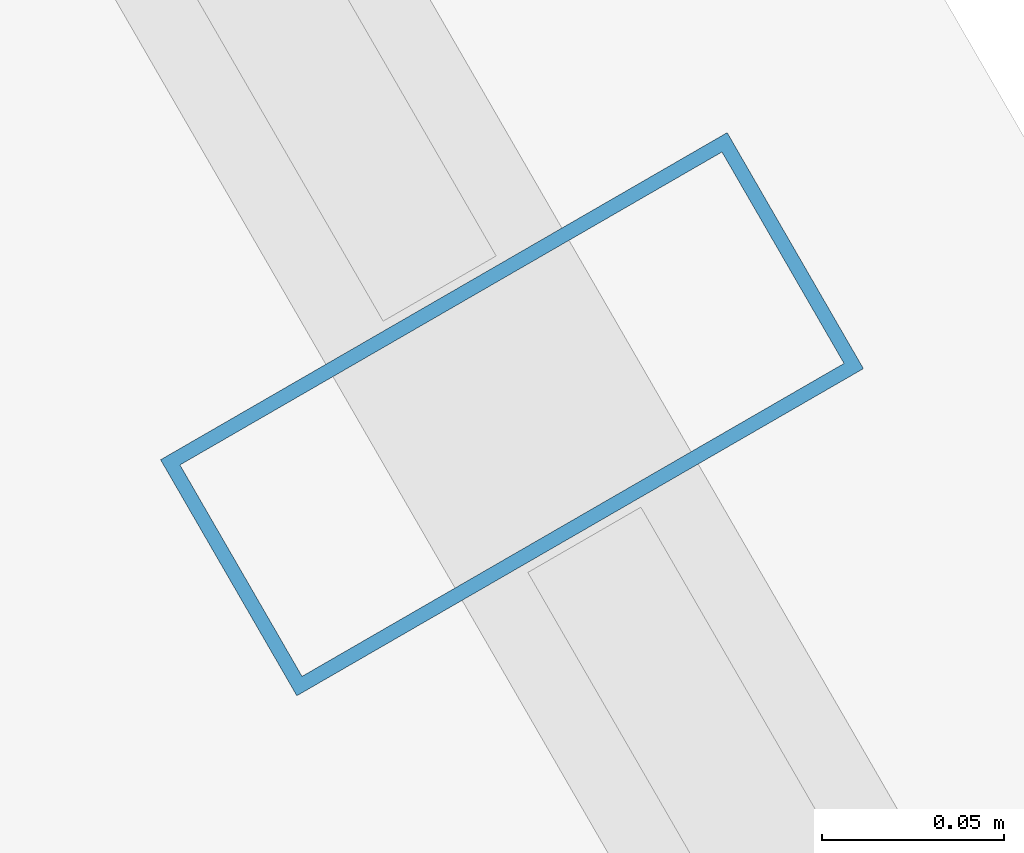
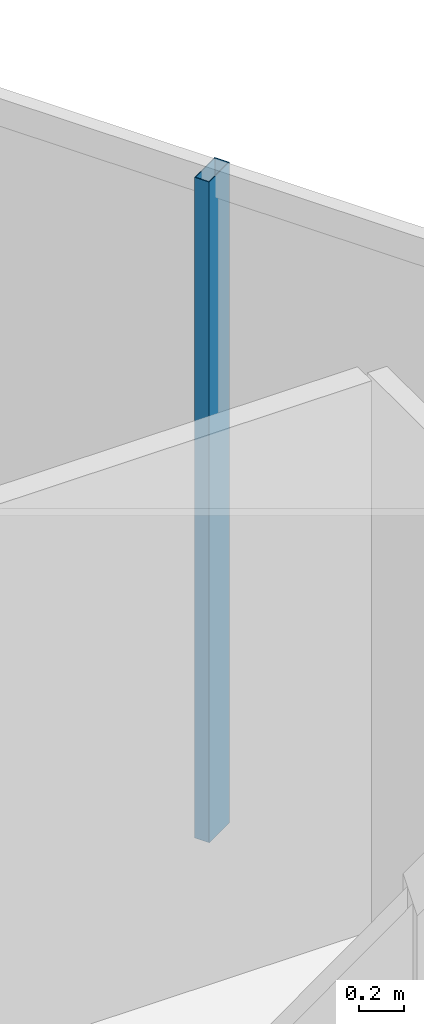
# One storey, part 20 of 32: 1 member, 1 element without a shape of its own.
"""IFC4 building model written with IfcOpenShell, lengths in metres."""

import ifcopenshell
import ifcopenshell.guid

model = None  # the IFC model being written
_history = None  # IfcOwnerHistory: only IFC2X3 demands one
_inside = {}  # id of a spatial element -> (the spatial element, [elements in it])
_under = {}  # id of a project, library or spatial element -> (it, [spatial elements below it])
_declared = {}  # id of a project -> (the project, [libraries it declares])
_typed = {}  # id of a type object -> (the type object, [elements of that type])
_made_of = {}  # id of a material, layer set ... -> (it, [elements and type objects made of it])


def new_model(schema):
    """Start an empty IFC model of exactly this schema.

    Asked for "IFC4X3", IfcOpenShell would pick the latest addendum, in which some entities
    have other attributes; the version numbers below select the first issue.
    IFC2X3 requires an IfcOwnerHistory on every rooted entity: one is made here for all.
    """
    global model, _history
    if schema == "IFC4X3":
        model = ifcopenshell.file(schema_version=(4, 3, 0, 0))
    else:
        model = ifcopenshell.file(schema=schema)
    _inside.clear()
    _under.clear()
    _declared.clear()
    _typed.clear()
    _made_of.clear()
    _history = None
    if model.schema == "IFC2X3":
        org = make("IfcOrganization", Name="unknown")
        user = make(
            "IfcPersonAndOrganization",
            ThePerson=make("IfcPerson", FamilyName="unknown"),
            TheOrganization=org,
        )
        app = make(
            "IfcApplication",
            ApplicationDeveloper=org,
            Version="unknown",
            ApplicationFullName="unknown",
            ApplicationIdentifier="unknown",
        )
        _history = make(
            "IfcOwnerHistory",
            OwningUser=user,
            OwningApplication=app,
            ChangeAction="ADDED",
            CreationDate=0,
        )
    return model


def make(cls, **values):
    """One entity of the class cls with the attributes given. An attribute that is None is left unset."""
    return model.create_entity(
        cls, **{name: value for name, value in values.items() if value is not None}
    )


def rooted(cls, **values):
    """An entity with a GlobalId (a new one), such as an element, a storey or a relation."""
    return make(cls, GlobalId=ifcopenshell.guid.new(), OwnerHistory=_history, **values)


def si_unit(unit_type, name, prefix=None):
    """IfcSIUnit, for example si_unit("LENGTHUNIT", "METRE", prefix="MILLI")."""
    return make("IfcSIUnit", UnitType=unit_type, Prefix=prefix, Name=name)


def assignment(units):
    """IfcUnitAssignment: the units of a project."""
    return None if units is None else make("IfcUnitAssignment", Units=units)


def point(xyz):
    """IfcCartesianPoint."""
    return None if xyz is None else make("IfcCartesianPoint", Coordinates=xyz)


def direction(xyz):
    """IfcDirection."""
    return None if xyz is None else make("IfcDirection", DirectionRatios=xyz)


def frame(location, z_axis=None, x_axis=None):
    """IfcAxis2Placement3D, a coordinate frame: its origin and axes. An axis left out is left unset."""
    return make(
        "IfcAxis2Placement3D",
        Location=point(location),
        Axis=direction(z_axis),
        RefDirection=direction(x_axis),
    )


def frame_2d(location, x_axis=None):
    """IfcAxis2Placement2D, a coordinate frame in the plane: its origin and x axis."""
    return make(
        "IfcAxis2Placement2D", Location=point(location), RefDirection=direction(x_axis)
    )


def origin():
    """The frame at (0, 0, 0) with its axes left unset."""
    return frame((0.0, 0.0, 0.0))


def origin_2d():
    """The frame at (0, 0) in the plane with its x axis left unset."""
    return frame_2d((0.0, 0.0))


def place(relative_to, where):
    """IfcLocalPlacement: puts the frame where relative to a parent placement (None: the world)."""
    return make(
        "IfcLocalPlacement", PlacementRelTo=relative_to, RelativePlacement=where
    )


def context(
    kind, dimensions, precision=None, world=None, true_north=None, identifier=None
):
    """IfcGeometricRepresentationContext, for example the 3D "Model" context."""
    return make(
        "IfcGeometricRepresentationContext",
        ContextIdentifier=identifier,
        ContextType=kind,
        CoordinateSpaceDimension=dimensions,
        Precision=precision,
        WorldCoordinateSystem=world,
        TrueNorth=true_north,
    )


def subcontext(parent, identifier, kind, view, scale=None):
    """IfcGeometricRepresentationSubContext, for example "Body" below "Model"."""
    return make(
        "IfcGeometricRepresentationSubContext",
        ContextIdentifier=identifier,
        ContextType=kind,
        ParentContext=parent,
        TargetScale=scale,
        TargetView=view,
    )


def project(units=None, contexts=None):
    """IfcProject with its units and contexts."""
    return rooted(
        "IfcProject",
        Name="project",
        RepresentationContexts=contexts,
        UnitsInContext=assignment(units),
    )


def spatial(cls, under=None, at=None, **own):
    """A site, building, storey or space (cls), placed at a placement, below another one or the project."""
    s = rooted(cls, ObjectPlacement=at, **own)
    if under is not None:
        _under.setdefault(under.id(), (under, []))[1].append(s)
    return s


def profile(cls, at=None, kind="AREA", **sizes):
    """A parametric profile (cls). Its sizes go by their IFC names, for example OverallWidth=200.0."""
    return make(cls, ProfileType=kind, Position=at, **sizes)


def hollow_rectangle(**sizes):
    """IfcRectangleHollowProfileDef."""
    return profile("IfcRectangleHollowProfileDef", **sizes)


def extrude(swept, where, along, depth):
    """IfcExtrudedAreaSolid: the profile swept, set in the frame where, extruded along a direction by depth."""
    return make(
        "IfcExtrudedAreaSolid",
        SweptArea=swept,
        Position=where,
        ExtrudedDirection=direction(along),
        Depth=depth,
    )


def shape(context_of_items, identifier, shape_type, items):
    """IfcShapeRepresentation: the items that make up one representation, for example the "Body"."""
    return make(
        "IfcShapeRepresentation",
        ContextOfItems=context_of_items,
        RepresentationIdentifier=identifier,
        RepresentationType=shape_type,
        Items=items,
    )


def material(Name=None, Category=None):
    """IfcMaterial."""
    return make("IfcMaterial", Name=Name, Category=Category)


def layer(
    of_material, thickness, ventilated=None, Name=None, Category=None, Priority=None
):
    """IfcMaterialLayer: one layer of a wall or slab, of a material (None: an air gap)."""
    return make(
        "IfcMaterialLayer",
        Material=of_material,
        LayerThickness=thickness,
        IsVentilated=ventilated,
        Name=Name,
        Category=Category,
        Priority=Priority,
    )


def layer_set(layers, Name=None):
    """IfcMaterialLayerSet."""
    return make("IfcMaterialLayerSet", MaterialLayers=layers, LayerSetName=Name)


def material_profile(
    of_material, cross_section, Name=None, Category=None, Priority=None
):
    """IfcMaterialProfile: a cross section and its material."""
    return make(
        "IfcMaterialProfile",
        Name=Name,
        Material=of_material,
        Profile=cross_section,
        Priority=Priority,
        Category=Category,
    )


def profile_set(profiles, Name=None, composite=None):
    """IfcMaterialProfileSet."""
    return make(
        "IfcMaterialProfileSet",
        Name=Name,
        MaterialProfiles=profiles,
        CompositeProfile=composite,
    )


def made_of(thing, what):
    """Note that an element or type object is made of a material, layer set ...; save() writes the relation."""
    if what is not None:
        _made_of.setdefault(what.id(), (what, []))[1].append(thing)
    return thing


def type_object(cls, material=None, **own):
    """A type object (cls), such as IfcWallType, which elements share."""
    return made_of(rooted(cls, **own), material)


def element(
    cls,
    number,
    at=None,
    inside=None,
    cuts=None,
    type_object=None,
    material=None,
    context=None,
    identifier="Body",
    shape_type=None,
    held_by="IfcProductDefinitionShape",
    body=None,
    shapes=None,
    **own,
):
    """One element of the class cls, such as IfcWall. Its Tag is "e" and its number.

    at: its placement. inside: the storey or other place that contains it. cuts: it is an
    opening in that element (IfcRelVoidsElement). A single representation is given by context,
    identifier, shape_type and body (its items); several are given by shapes. held_by: the class
    of the entity that holds the representations. save() writes the other relations.
    """
    e = rooted(cls, Tag="e%d" % number, ObjectPlacement=at, **own)
    if body is not None:
        shapes = [shape(context, identifier, shape_type, body)]
    if shapes is not None:
        e.Representation = make(held_by, Representations=shapes)
    if inside is not None:
        _inside.setdefault(inside.id(), (inside, []))[1].append(e)
    if cuts is not None:
        rooted(
            "IfcRelVoidsElement", RelatingBuildingElement=cuts, RelatedOpeningElement=e
        )
    if type_object is not None:
        _typed.setdefault(type_object.id(), (type_object, []))[1].append(e)
    return made_of(e, material)


def aggregate(whole, parts):
    """IfcRelAggregates: a whole, such as a stair, and the parts it consists of."""
    return rooted("IfcRelAggregates", RelatingObject=whole, RelatedObjects=parts)


def save(model, path):
    """Write the relations noted so far, then the file.

    IfcRelAggregates (storeys below a building ...), IfcRelContainedInSpatialStructure (elements
    in a storey), IfcRelDefinesByType, IfcRelAssociatesMaterial and IfcRelDeclares: one each for
    every whole, place, type object, material and project.
    """
    for whole, parts in _under.values():
        aggregate(whole, parts)
    for where, things in _inside.values():
        rooted(
            "IfcRelContainedInSpatialStructure",
            RelatedElements=things,
            RelatingStructure=where,
        )
    for kind, things in _typed.values():
        rooted("IfcRelDefinesByType", RelatedObjects=things, RelatingType=kind)
    for what, things in _made_of.values():
        rooted("IfcRelAssociatesMaterial", RelatedObjects=things, RelatingMaterial=what)
    for by, libraries in _declared.values():
        rooted("IfcRelDeclares", RelatingContext=by, RelatedDefinitions=libraries)
    model.write(path)


model = new_model("IFC4")

# Units and contexts
model_context = context("Model", 3, precision=1e-05, world=origin(), true_north=direction((0.0, 1.0)))
body_context = subcontext(model_context, "Body", "Model", "MODEL_VIEW")
ifc_project = project(units=[si_unit("LENGTHUNIT", "METRE"), si_unit("AREAUNIT", "SQUARE_METRE"), si_unit("VOLUMEUNIT", "CUBIC_METRE"), si_unit("PLANEANGLEUNIT", "RADIAN"), si_unit("MASSUNIT", "GRAM", prefix="KILO")], contexts=[model_context])

# Site, building, storey
site_placement = place(None, origin())
site = spatial("IfcSite", under=ifc_project, at=site_placement, CompositionType="ELEMENT")
building_placement = place(site_placement, origin())
building = spatial("IfcBuilding", under=site, at=building_placement, Name="Ndaravel Arena Tower", CompositionType="ELEMENT")
storey_placement = place(building_placement, frame((0.0, 0.0, 256.0)))
storey = spatial("IfcBuildingStorey", under=building, at=storey_placement, Name="L62", CompositionType="ELEMENT", Elevation=256.0)

# Curtain wall, member
ifc_material_1 = material(Name="Aluminium", Category="aluminium")
ifc_layer = layer(ifc_material_1, 0.179931640625)
ifc_layer_set = layer_set([ifc_layer], Name="Aluminium")
curtain_wall_type = type_object("IfcCurtainWallType", Name="CW-SYS-03", PredefinedType="NOTDEFINED", material=ifc_layer_set)
curtain_wall_placement = place(storey_placement, origin())
curtain_wall = element("IfcCurtainWall", 1, at=curtain_wall_placement, inside=storey, type_object=curtain_wall_type, Name="L62 Faceted Crystal Curtain Wall CW-L62-E03", PredefinedType="NOTDEFINED")
ifc_material_2 = material(Name="Aluminium", Category="aluminium")
ifc_material_profile = material_profile(ifc_material_2, hollow_rectangle(XDim=0.074951171875, YDim=0.179931640625, WallThickness=0.00390625, at=origin_2d()), Name="CW MULLION 75x180x4")
ifc_profile_set = profile_set([ifc_material_profile], Name="Aluminium")
member_type = type_object("IfcMemberType", Name="MEM-CW-MUL180", PredefinedType="MULLION", material=ifc_profile_set)
member_placement = place(storey_placement, frame((60.416015625, 18.001953125, 0.0), z_axis=(0.0, 0.0, 1.0), x_axis=(-0.5, 0.866025403784, 0.0)))
member = element("IfcMember", 2, at=member_placement, type_object=member_type, Name="CW-L62-E03 Mullion 02", PredefinedType="MULLION", context=body_context, shape_type="SweptSolid", body=[
    extrude(hollow_rectangle(XDim=0.074951171875, YDim=0.179931640625, WallThickness=0.00390625, at=origin_2d()), origin(), (0.0, 0.0, 1.0), 3.580078125),
])
aggregate(curtain_wall, [member])

save(model, "model.ifc")
